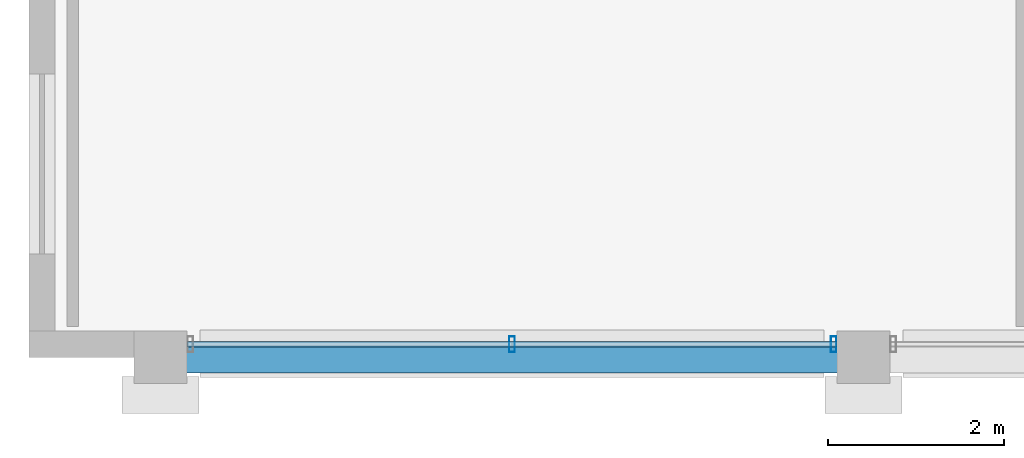
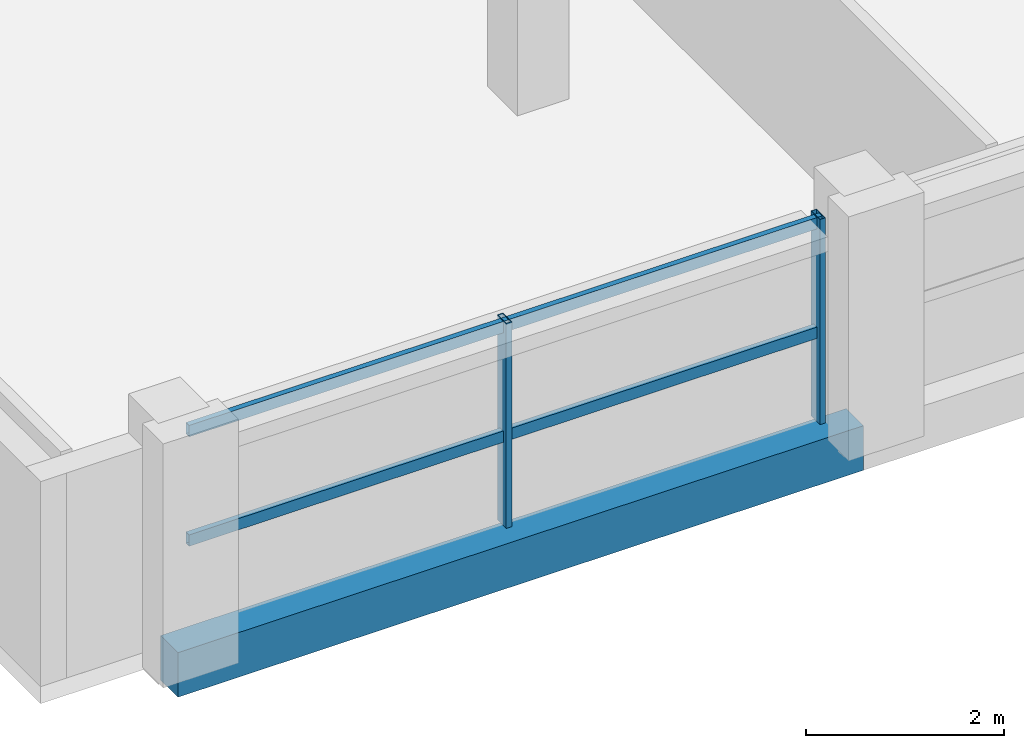
# One storey, part 3 of 24: 4 members, 1 beam, 1 element without a shape of its own.
"""IFC4 building model written with IfcOpenShell, lengths in metres."""

from ifc_helpers import new_model, si_unit, direction, frame, origin, origin_2d, place, context, subcontext, project, spatial, rectangle, hollow_rectangle, extrude, material, material_profile, profile_set, type_object, element, aggregate, save


model = new_model("IFC4")

# Units and contexts
model_context = context("Model", 3, precision=1e-05, world=origin(), true_north=direction((0.0, 1.0)))
body_context = subcontext(model_context, "Body", "Model", "MODEL_VIEW")
ifc_project = project(units=[si_unit("LENGTHUNIT", "METRE"), si_unit("AREAUNIT", "SQUARE_METRE"), si_unit("VOLUMEUNIT", "CUBIC_METRE"), si_unit("PLANEANGLEUNIT", "RADIAN"), si_unit("MASSUNIT", "GRAM", prefix="KILO")], contexts=[model_context])

# Site, building, storey
site_placement = place(None, origin())
site = spatial("IfcSite", under=ifc_project, at=site_placement, CompositionType="ELEMENT")
building_placement = place(site_placement, origin())
building = spatial("IfcBuilding", under=site, at=building_placement, Name="Akrevak Sports Hall", CompositionType="ELEMENT")
storey_placement = place(building_placement, frame((0.0, 0.0, 63.300048828125)))
storey = spatial("IfcBuildingStorey", under=building, at=storey_placement, Name="L16", CompositionType="ELEMENT", Elevation=63.300048828125)

# Curtain wall, members
ifc_material_1 = material(Name="Anodized Bronze Aluminium & Low-E Glass", Category="aluminium")
curtain_wall_type = type_object("IfcCurtainWallType", Name="ARC-CW-TWR-72x30", PredefinedType="NOTDEFINED", material=ifc_material_1)
curtain_wall_placement = place(storey_placement, origin())
curtain_wall = element("IfcCurtainWall", 1, at=curtain_wall_placement, inside=storey, type_object=curtain_wall_type, Name="Curtain Wall CW-L16-S02", PredefinedType="NOTDEFINED")
ifc_material_2 = material(Name="Anodized Bronze Aluminium", Category="aluminium")
ifc_material_profile_1 = material_profile(ifc_material_2, hollow_rectangle(XDim=0.06494140625, YDim=0.179931640625, WallThickness=0.00390625, at=origin_2d()), Name="CWM 65x180", Category="aluminium")
ifc_profile_set_1 = profile_set([ifc_material_profile_1], Name="Anodized Bronze Aluminium")
member_type_1 = type_object("IfcMemberType", Name="ARC-CWM-65x140", PredefinedType="MULLION", material=ifc_profile_set_1)
member_1_placement = place(storey_placement, frame((64.0, 35.550048828125, 0.0), z_axis=(0.0, 0.0, 1.0), x_axis=(1.0, 0.0, 0.0)))
member_1 = element("IfcMember", 2, at=member_1_placement, type_object=member_type_1, Name="Curtain Wall Mullion CW-L16-S02-M2", PredefinedType="MULLION", context=body_context, shape_type="SweptSolid", body=[
    extrude(hollow_rectangle(XDim=0.06494140625, YDim=0.179931640625, WallThickness=0.00390625, at=origin_2d()), origin(), (0.0, 0.0, 1.0), 2.530029296875),
])
member_2_placement = place(storey_placement, frame((67.659912109375, 35.550048828125, 0.0), z_axis=(0.0, 0.0, 1.0), x_axis=(1.0, 0.0, 0.0)))
member_2 = element("IfcMember", 3, at=member_2_placement, type_object=member_type_1, Name="Curtain Wall Mullion CW-L16-S02-M3", PredefinedType="MULLION", context=body_context, shape_type="SweptSolid", body=[
    extrude(hollow_rectangle(XDim=0.06494140625, YDim=0.179931640625, WallThickness=0.00390625, at=origin_2d()), origin(), (0.0, 0.0, 1.0), 2.530029296875),
])
ifc_material_profile_2 = material_profile(ifc_material_2, hollow_rectangle(XDim=0.06494140625, YDim=0.139892578125, WallThickness=0.00390625, at=origin_2d()), Name="CWT 65x140", Category="aluminium")
ifc_profile_set_2 = profile_set([ifc_material_profile_2], Name="Anodized Bronze Aluminium")
member_type_2 = type_object("IfcMemberType", Name="ARC-CWT-65x110", PredefinedType="USERDEFINED", material=ifc_profile_set_2)
member_3_placement = place(storey_placement, frame((60.300048828125, 35.550048828125, 1.099853515625), z_axis=(1.0, 0.0, 0.0), x_axis=(0.0, 1.0, 0.0)))
member_3 = element("IfcMember", 4, at=member_3_placement, type_object=member_type_2, Name="Curtain Wall Transom CW-L16-S02-T1", ObjectType="TRANSOM", PredefinedType="USERDEFINED", context=body_context, shape_type="SweptSolid", body=[
    extrude(hollow_rectangle(XDim=0.06494140625, YDim=0.139892578125, WallThickness=0.00390625, at=origin_2d()), origin(), (0.0, 0.0, 1.0), 7.39990234375),
])
member_4_placement = place(storey_placement, frame((60.300048828125, 35.550048828125, 2.449951171875), z_axis=(1.0, 0.0, 0.0), x_axis=(0.0, 1.0, 0.0)))
member_4 = element("IfcMember", 5, at=member_4_placement, type_object=member_type_2, Name="Curtain Wall Transom CW-L16-S02-T2", ObjectType="TRANSOM", PredefinedType="USERDEFINED", context=body_context, shape_type="SweptSolid", body=[
    extrude(hollow_rectangle(XDim=0.06494140625, YDim=0.139892578125, WallThickness=0.00390625, at=origin_2d()), origin(), (0.0, 0.0, 1.0), 7.39990234375),
])
aggregate(curtain_wall, [member_1, member_2, member_3, member_4])

# Beam
ifc_material_3 = material(Name="Concrete C40/50", Category="concrete")
ifc_material_profile_3 = material_profile(ifc_material_3, rectangle(XDim=0.35009765625, YDim=0.550048828125, at=origin_2d()), Name="BM 350x550", Category="concrete")
ifc_profile_set_3 = profile_set([ifc_material_profile_3], Name="Concrete C40/50")
beam_type = type_object("IfcBeamType", Name="STR-BM-RC350x550", PredefinedType="BEAM", material=ifc_profile_set_3)
beam_placement = place(storey_placement, frame((60.0, 35.39990234375, -0.275146484375), z_axis=(1.0, 0.0, 0.0), x_axis=(0.0, 1.0, 0.0)))
element("IfcBeam", 6, at=beam_placement, inside=storey, type_object=beam_type, Name="Girder F/9-10 (L16)", PredefinedType="BEAM", context=body_context, shape_type="SweptSolid", body=[
    extrude(rectangle(XDim=0.35009765625, YDim=0.550048828125, at=origin_2d()), origin(), (0.0, 0.0, 1.0), 8.0),
])

save(model, "model.ifc")
